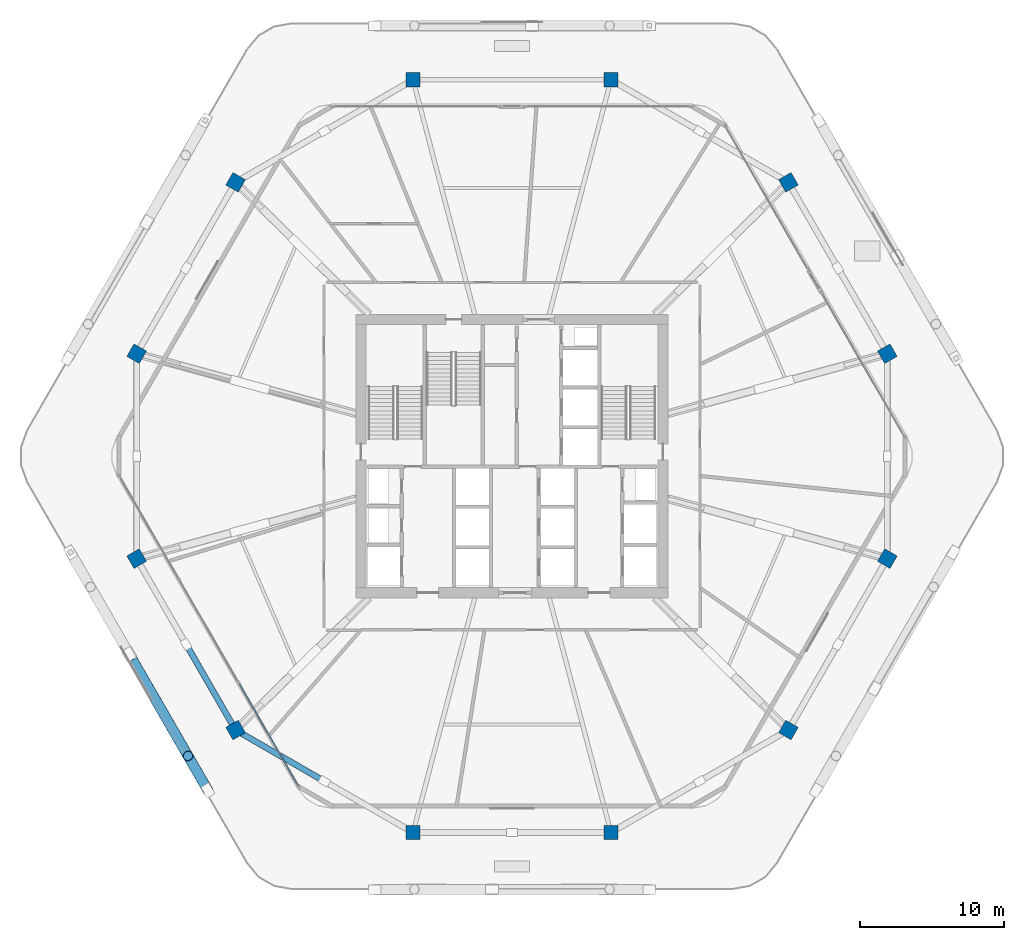
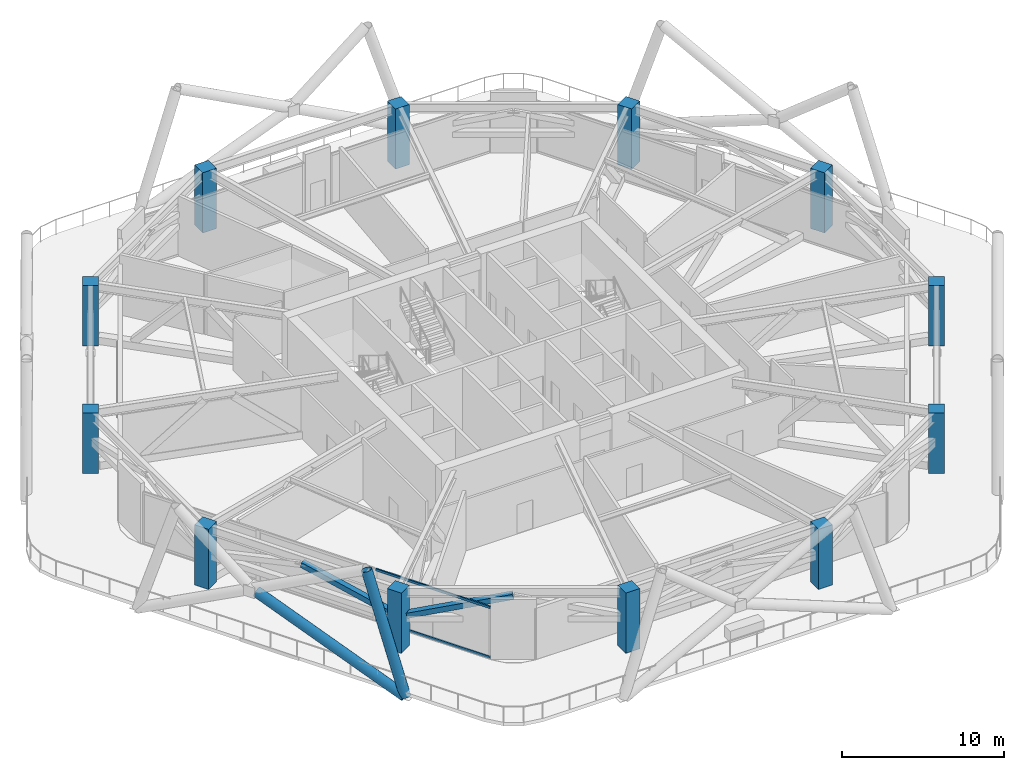
# One storey, part 1 of 20: 12 columns, 6 members, 1 element without a shape of its own.
"""IFC4 building model written with IfcOpenShell, lengths in metres."""

import ifcopenshell
import ifcopenshell.guid

model = None  # the IFC model being written
_history = None  # IfcOwnerHistory: only IFC2X3 demands one
_inside = {}  # id of a spatial element -> (the spatial element, [elements in it])
_under = {}  # id of a project, library or spatial element -> (it, [spatial elements below it])
_declared = {}  # id of a project -> (the project, [libraries it declares])
_typed = {}  # id of a type object -> (the type object, [elements of that type])
_made_of = {}  # id of a material, layer set ... -> (it, [elements and type objects made of it])


def new_model(schema):
    """Start an empty IFC model of exactly this schema.

    Asked for "IFC4X3", IfcOpenShell would pick the latest addendum, in which some entities
    have other attributes; the version numbers below select the first issue.
    IFC2X3 requires an IfcOwnerHistory on every rooted entity: one is made here for all.
    """
    global model, _history
    if schema == "IFC4X3":
        model = ifcopenshell.file(schema_version=(4, 3, 0, 0))
    else:
        model = ifcopenshell.file(schema=schema)
    _inside.clear()
    _under.clear()
    _declared.clear()
    _typed.clear()
    _made_of.clear()
    _history = None
    if model.schema == "IFC2X3":
        org = make("IfcOrganization", Name="unknown")
        user = make(
            "IfcPersonAndOrganization",
            ThePerson=make("IfcPerson", FamilyName="unknown"),
            TheOrganization=org,
        )
        app = make(
            "IfcApplication",
            ApplicationDeveloper=org,
            Version="unknown",
            ApplicationFullName="unknown",
            ApplicationIdentifier="unknown",
        )
        _history = make(
            "IfcOwnerHistory",
            OwningUser=user,
            OwningApplication=app,
            ChangeAction="ADDED",
            CreationDate=0,
        )
    return model


def make(cls, **values):
    """One entity of the class cls with the attributes given. An attribute that is None is left unset."""
    return model.create_entity(
        cls, **{name: value for name, value in values.items() if value is not None}
    )


def rooted(cls, **values):
    """An entity with a GlobalId (a new one), such as an element, a storey or a relation."""
    return make(cls, GlobalId=ifcopenshell.guid.new(), OwnerHistory=_history, **values)


def si_unit(unit_type, name, prefix=None):
    """IfcSIUnit, for example si_unit("LENGTHUNIT", "METRE", prefix="MILLI")."""
    return make("IfcSIUnit", UnitType=unit_type, Prefix=prefix, Name=name)


def assignment(units):
    """IfcUnitAssignment: the units of a project."""
    return None if units is None else make("IfcUnitAssignment", Units=units)


def point(xyz):
    """IfcCartesianPoint."""
    return None if xyz is None else make("IfcCartesianPoint", Coordinates=xyz)


def direction(xyz):
    """IfcDirection."""
    return None if xyz is None else make("IfcDirection", DirectionRatios=xyz)


def frame(location, z_axis=None, x_axis=None):
    """IfcAxis2Placement3D, a coordinate frame: its origin and axes. An axis left out is left unset."""
    return make(
        "IfcAxis2Placement3D",
        Location=point(location),
        Axis=direction(z_axis),
        RefDirection=direction(x_axis),
    )


def frame_2d(location, x_axis=None):
    """IfcAxis2Placement2D, a coordinate frame in the plane: its origin and x axis."""
    return make(
        "IfcAxis2Placement2D", Location=point(location), RefDirection=direction(x_axis)
    )


def origin():
    """The frame at (0, 0, 0) with its axes left unset."""
    return frame((0.0, 0.0, 0.0))


def origin_2d():
    """The frame at (0, 0) in the plane with its x axis left unset."""
    return frame_2d((0.0, 0.0))


def place(relative_to, where):
    """IfcLocalPlacement: puts the frame where relative to a parent placement (None: the world)."""
    return make(
        "IfcLocalPlacement", PlacementRelTo=relative_to, RelativePlacement=where
    )


def context(
    kind, dimensions, precision=None, world=None, true_north=None, identifier=None
):
    """IfcGeometricRepresentationContext, for example the 3D "Model" context."""
    return make(
        "IfcGeometricRepresentationContext",
        ContextIdentifier=identifier,
        ContextType=kind,
        CoordinateSpaceDimension=dimensions,
        Precision=precision,
        WorldCoordinateSystem=world,
        TrueNorth=true_north,
    )


def subcontext(parent, identifier, kind, view, scale=None):
    """IfcGeometricRepresentationSubContext, for example "Body" below "Model"."""
    return make(
        "IfcGeometricRepresentationSubContext",
        ContextIdentifier=identifier,
        ContextType=kind,
        ParentContext=parent,
        TargetScale=scale,
        TargetView=view,
    )


def project(units=None, contexts=None):
    """IfcProject with its units and contexts."""
    return rooted(
        "IfcProject",
        Name="project",
        RepresentationContexts=contexts,
        UnitsInContext=assignment(units),
    )


def spatial(cls, under=None, at=None, **own):
    """A site, building, storey or space (cls), placed at a placement, below another one or the project."""
    s = rooted(cls, ObjectPlacement=at, **own)
    if under is not None:
        _under.setdefault(under.id(), (under, []))[1].append(s)
    return s


def profile(cls, at=None, kind="AREA", **sizes):
    """A parametric profile (cls). Its sizes go by their IFC names, for example OverallWidth=200.0."""
    return make(cls, ProfileType=kind, Position=at, **sizes)


def rectangle(**sizes):
    """IfcRectangleProfileDef."""
    return profile("IfcRectangleProfileDef", **sizes)


def hollow_rectangle(**sizes):
    """IfcRectangleHollowProfileDef."""
    return profile("IfcRectangleHollowProfileDef", **sizes)


def hollow_circle(**sizes):
    """IfcCircleHollowProfileDef."""
    return profile("IfcCircleHollowProfileDef", **sizes)


def extrude(swept, where, along, depth):
    """IfcExtrudedAreaSolid: the profile swept, set in the frame where, extruded along a direction by depth."""
    return make(
        "IfcExtrudedAreaSolid",
        SweptArea=swept,
        Position=where,
        ExtrudedDirection=direction(along),
        Depth=depth,
    )


def shape(context_of_items, identifier, shape_type, items):
    """IfcShapeRepresentation: the items that make up one representation, for example the "Body"."""
    return make(
        "IfcShapeRepresentation",
        ContextOfItems=context_of_items,
        RepresentationIdentifier=identifier,
        RepresentationType=shape_type,
        Items=items,
    )


def material(Name=None, Category=None):
    """IfcMaterial."""
    return make("IfcMaterial", Name=Name, Category=Category)


def material_profile(
    of_material, cross_section, Name=None, Category=None, Priority=None
):
    """IfcMaterialProfile: a cross section and its material."""
    return make(
        "IfcMaterialProfile",
        Name=Name,
        Material=of_material,
        Profile=cross_section,
        Priority=Priority,
        Category=Category,
    )


def profile_set(profiles, Name=None, composite=None):
    """IfcMaterialProfileSet."""
    return make(
        "IfcMaterialProfileSet",
        Name=Name,
        MaterialProfiles=profiles,
        CompositeProfile=composite,
    )


def made_of(thing, what):
    """Note that an element or type object is made of a material, layer set ...; save() writes the relation."""
    if what is not None:
        _made_of.setdefault(what.id(), (what, []))[1].append(thing)
    return thing


def type_object(cls, material=None, **own):
    """A type object (cls), such as IfcWallType, which elements share."""
    return made_of(rooted(cls, **own), material)


def element(
    cls,
    number,
    at=None,
    inside=None,
    cuts=None,
    type_object=None,
    material=None,
    context=None,
    identifier="Body",
    shape_type=None,
    held_by="IfcProductDefinitionShape",
    body=None,
    shapes=None,
    **own,
):
    """One element of the class cls, such as IfcWall. Its Tag is "e" and its number.

    at: its placement. inside: the storey or other place that contains it. cuts: it is an
    opening in that element (IfcRelVoidsElement). A single representation is given by context,
    identifier, shape_type and body (its items); several are given by shapes. held_by: the class
    of the entity that holds the representations. save() writes the other relations.
    """
    e = rooted(cls, Tag="e%d" % number, ObjectPlacement=at, **own)
    if body is not None:
        shapes = [shape(context, identifier, shape_type, body)]
    if shapes is not None:
        e.Representation = make(held_by, Representations=shapes)
    if inside is not None:
        _inside.setdefault(inside.id(), (inside, []))[1].append(e)
    if cuts is not None:
        rooted(
            "IfcRelVoidsElement", RelatingBuildingElement=cuts, RelatedOpeningElement=e
        )
    if type_object is not None:
        _typed.setdefault(type_object.id(), (type_object, []))[1].append(e)
    return made_of(e, material)


def aggregate(whole, parts):
    """IfcRelAggregates: a whole, such as a stair, and the parts it consists of."""
    return rooted("IfcRelAggregates", RelatingObject=whole, RelatedObjects=parts)


def save(model, path):
    """Write the relations noted so far, then the file.

    IfcRelAggregates (storeys below a building ...), IfcRelContainedInSpatialStructure (elements
    in a storey), IfcRelDefinesByType, IfcRelAssociatesMaterial and IfcRelDeclares: one each for
    every whole, place, type object, material and project.
    """
    for whole, parts in _under.values():
        aggregate(whole, parts)
    for where, things in _inside.values():
        rooted(
            "IfcRelContainedInSpatialStructure",
            RelatedElements=things,
            RelatingStructure=where,
        )
    for kind, things in _typed.values():
        rooted("IfcRelDefinesByType", RelatedObjects=things, RelatingType=kind)
    for what, things in _made_of.values():
        rooted("IfcRelAssociatesMaterial", RelatedObjects=things, RelatingMaterial=what)
    for by, libraries in _declared.values():
        rooted("IfcRelDeclares", RelatingContext=by, RelatedDefinitions=libraries)
    model.write(path)


model = new_model("IFC4")

# Units and contexts
model_context = context("Model", 3, precision=1e-05, world=origin(), true_north=direction((0.0, 1.0)))
body_context = subcontext(model_context, "Body", "Model", "MODEL_VIEW")
ifc_project = project(units=[si_unit("LENGTHUNIT", "METRE"), si_unit("AREAUNIT", "SQUARE_METRE"), si_unit("VOLUMEUNIT", "CUBIC_METRE"), si_unit("PLANEANGLEUNIT", "RADIAN"), si_unit("MASSUNIT", "GRAM", prefix="KILO")], contexts=[model_context])

# Site, building, storey
site_placement = place(None, origin())
site = spatial("IfcSite", under=ifc_project, at=site_placement, CompositionType="ELEMENT")
building_placement = place(site_placement, origin())
building = spatial("IfcBuilding", under=site, at=building_placement, Name="Zuhravey Tower", CompositionType="ELEMENT")
storey_placement = place(building_placement, frame((0.0, 0.0, 145.60009765625)))
storey = spatial("IfcBuildingStorey", under=building, at=storey_placement, Name="L36", CompositionType="ELEMENT", Elevation=145.60009765625)

# Columns
ifc_material_1 = material(Name="Concrete C60/75", Category="concrete")
ifc_material_profile_1 = material_profile(ifc_material_1, rectangle(XDim=1.0, YDim=1.0, at=origin_2d()), Name="RC-1000x1000")
ifc_profile_set_1 = profile_set([ifc_material_profile_1], Name="Concrete C60/75")
column_type = type_object("IfcColumnType", Name="Zone 2 Perimeter Column 1000x1000", PredefinedType="COLUMN", material=ifc_profile_set_1)
for number, where, z_axis, x_axis, name in (
    (1, (62.107666015625, 39.12646484375, 0.0), (0.0, 0.0, 1.0), (-0.5, 0.866025403784, 0.0), "L36 Perimeter Column PC01"),
    (2, (55.2255859375, 51.046630859375, 0.0), (0.0, 0.0, 1.0), (-0.5, 0.866025403784, 0.0), "L36 Perimeter Column PC02"),
    (3, (42.882080078125, 58.173095703125, 0.0), (0.0, 0.0, 1.0), (-1.0, 0.0, 0.0), "L36 Perimeter Column PC03"),
    (4, (29.117919921875, 58.173095703125, 0.0), (0.0, 0.0, 1.0), (-1.0, 0.0, 0.0), "L36 Perimeter Column PC04"),
    (5, (16.7744140625, 51.046630859375, 0.0), (0.0, 0.0, 1.0), (-0.5, -0.866025403784, 0.0), "L36 Perimeter Column PC05"),
    (6, (9.892333984375, 39.12646484375, 0.0), (0.0, 0.0, 1.0), (-0.5, -0.866025403784, 0.0), "L36 Perimeter Column PC06"),
    (7, (9.892333984375, 24.87353515625, 0.0), (0.0, 0.0, 1.0), (0.5, -0.866025403784, 0.0), "L36 Perimeter Column PC07"),
    (8, (16.7744140625, 12.953369140625, 0.0), (0.0, 0.0, 1.0), (0.5, -0.866025403784, 0.0), "L36 Perimeter Column PC08"),
    (9, (29.117919921875, 5.826904296875, 0.0), (0.0, 0.0, 1.0), (1.0, 0.0, 0.0), "L36 Perimeter Column PC09"),
    (10, (42.882080078125, 5.826904296875, 0.0), (0.0, 0.0, 1.0), (1.0, 0.0, 0.0), "L36 Perimeter Column PC10"),
    (11, (55.2255859375, 12.953369140625, 0.0), (0.0, 0.0, 1.0), (0.5, 0.866025403784, 0.0), "L36 Perimeter Column PC11"),
    (12, (62.107666015625, 24.87353515625, 0.0), (0.0, 0.0, 1.0), (0.5, 0.866025403784, 0.0), "L36 Perimeter Column PC12"),
):
    element("IfcColumn", number, at=place(storey_placement, frame(where, z_axis=z_axis, x_axis=x_axis)), inside=storey, type_object=column_type, Name=name, PredefinedType="COLUMN", context=body_context, shape_type="SweptSolid", body=[
        extrude(rectangle(XDim=1.0, YDim=1.0, at=origin_2d()), origin(), (0.0, 0.0, 1.0), 4.5498046875),
    ])

# Members
ifc_material_2 = material(Name="Steel SM355", Category="steel")
ifc_material_profile_2 = material_profile(ifc_material_2, hollow_rectangle(XDim=0.39990234375, YDim=0.39990234375, WallThickness=0.02490234375, at=origin_2d()), Name="RHS-400x400x25")
ifc_profile_set_2 = profile_set([ifc_material_profile_2], Name="Steel SM355")
member_type_1 = type_object("IfcMemberType", Name="Belt Truss Diagonal RHS400x400", PredefinedType="BRACE", material=ifc_profile_set_2)
member_1_placement = place(storey_placement, frame((16.5146484375, 13.4033203125, 2.4931640625), z_axis=(-0.487705061621, 0.844766787399, 0.220256322899), x_axis=(-0.866034845904, -0.499983645413, 0.0)))
element("IfcMember", 13, at=member_1_placement, inside=storey, type_object=member_type_1, Name="L36 Belt Truss Diagonal BTD1-06.2", PredefinedType="BRACE", context=body_context, shape_type="SweptSolid", body=[
    extrude(hollow_rectangle(XDim=0.39990234375, YDim=0.39990234375, WallThickness=0.02490234375, at=origin_2d()), origin(), (0.0, 0.0, 1.0), 6.49755859375),
])
member_2_placement = place(storey_placement, frame((17.224609375, 12.693603515625, 2.4931640625), z_axis=(0.846240512643, -0.488593445156, 0.212493388395), x_axis=(0.500012477951, 0.866018199516, 0.0)))
element("IfcMember", 14, at=member_2_placement, inside=storey, type_object=member_type_1, Name="L36 Belt Truss Diagonal BTD1-07.1", PredefinedType="BRACE", context=body_context, shape_type="SweptSolid", body=[
    extrude(hollow_rectangle(XDim=0.39990234375, YDim=0.39990234375, WallThickness=0.02490234375, at=origin_2d()), origin(), (0.0, 0.0, 1.0), 6.736083984375),
])
ifc_material_3 = material(Name="Steel SM460", Category="steel")
ifc_material_profile_3 = material_profile(ifc_material_3, hollow_circle(Radius=0.355712890625, WallThickness=0.031982421875, at=origin_2d()), Name="CHS-711.2x32")
ifc_profile_set_3 = profile_set([ifc_material_profile_3], Name="Steel SM460")
member_type_2 = type_object("IfcMemberType", Name="Exoskeleton Zone 2 Diagrid CHS711x32", PredefinedType="BRACE", material=ifc_profile_set_3)
member_3_placement = place(storey_placement, frame((14.8427734375, 8.75927734375, -0.47412109375), z_axis=(-0.153011979061, 0.265004301135, 0.952029440009), x_axis=(-0.866008883427, -0.500028613006, 0.0)))
element("IfcMember", 15, at=member_3_placement, inside=storey, type_object=member_type_2, Name="L36 Face 4 Diagrid Brace 4", PredefinedType="BRACE", context=body_context, shape_type="SweptSolid", body=[
    extrude(hollow_circle(Radius=0.355712890625, WallThickness=0.031982421875, at=origin_2d()), origin(), (0.0, 0.0, 1.0), 9.02294921875),
])
member_4_placement = place(storey_placement, frame((14.826171875, 8.7880859375, -0.478271484375), z_axis=(-0.465155567327, 0.805639997827, 0.366843961496), x_axis=(-0.866016514357, -0.500015396624, 0.0)))
element("IfcMember", 16, at=member_4_placement, inside=storey, type_object=member_type_2, Name="L36 Face 4 Split Diagrid Brace 3A", PredefinedType="BRACE", context=body_context, shape_type="SweptSolid", body=[
    extrude(hollow_circle(Radius=0.355712890625, WallThickness=0.031982421875, at=origin_2d()), origin(), (0.0, 0.0, 1.0), 11.373779296875),
])

# Curtain wall, members
ifc_material_4 = material(Name="Thermally broken anodised aluminium", Category="aluminium")
curtain_wall_type = type_object("IfcCurtainWallType", Name="Sky-Garden Tray Clerestory Curtain Wall CW5", PredefinedType="NOTDEFINED", material=ifc_material_4)
curtain_wall_placement = place(storey_placement, origin())
curtain_wall = element("IfcCurtainWall", 17, at=curtain_wall_placement, inside=storey, type_object=curtain_wall_type, Name="L36 CW5 CW-L36-F4-1", PredefinedType="NOTDEFINED")
ifc_material_5 = material(Name="Anodised aluminium", Category="aluminium")
ifc_material_profile_4 = material_profile(ifc_material_5, hollow_rectangle(XDim=0.10009765625, YDim=0.179931640625, WallThickness=0.006103515625, at=origin_2d()), Name="ALU-RHS-100x180x6")
ifc_profile_set_4 = profile_set([ifc_material_profile_4], Name="Anodised aluminium")
member_type_3 = type_object("IfcMemberType", Name="Tall-Storey Transom 100x180", PredefinedType="USERDEFINED", material=ifc_profile_set_4)
member_5_placement = place(storey_placement, frame((21.129150390625, 9.091064453125, 0.0498046875), z_axis=(-0.500020195194, 0.86601374377, 0.0), x_axis=(-0.86601374377, -0.500020195194, 0.0)))
member_5 = element("IfcMember", 18, at=member_5_placement, type_object=member_type_3, Name="CW5 transom 1.1", ObjectType="TRANSOM", PredefinedType="USERDEFINED", context=body_context, shape_type="SweptSolid", body=[
    extrude(hollow_rectangle(XDim=0.10009765625, YDim=0.179931640625, WallThickness=0.006103515625, at=origin_2d()), origin(), (0.0, 0.0, 1.0), 8.186279296875),
])
member_6_placement = place(storey_placement, frame((21.129150390625, 9.091064453125, 3.81982421875), z_axis=(-0.500020195194, 0.86601374377, 0.0), x_axis=(-0.86601374377, -0.500020195194, 0.0)))
member_6 = element("IfcMember", 19, at=member_6_placement, type_object=member_type_3, Name="CW5 transom 1.2", ObjectType="TRANSOM", PredefinedType="USERDEFINED", context=body_context, shape_type="SweptSolid", body=[
    extrude(hollow_rectangle(XDim=0.10009765625, YDim=0.179931640625, WallThickness=0.006103515625, at=origin_2d()), origin(), (0.0, 0.0, 1.0), 8.186279296875),
])
aggregate(curtain_wall, [member_5, member_6])

save(model, "model.ifc")
